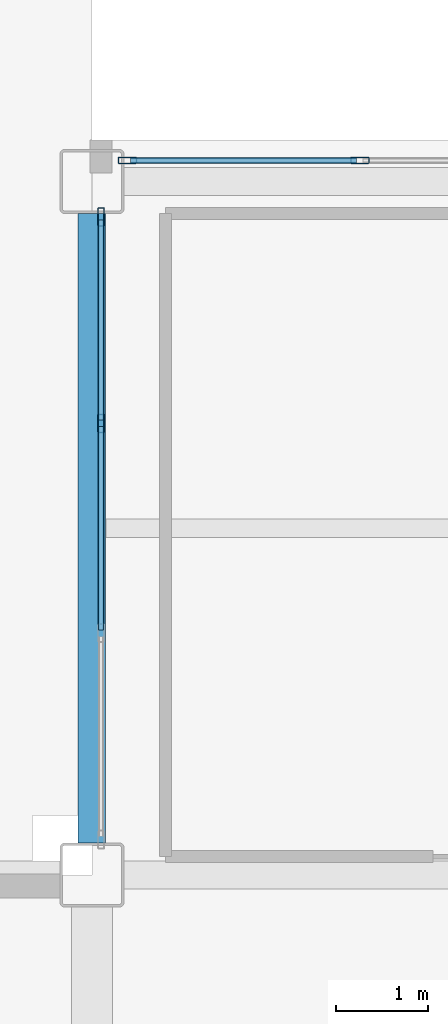
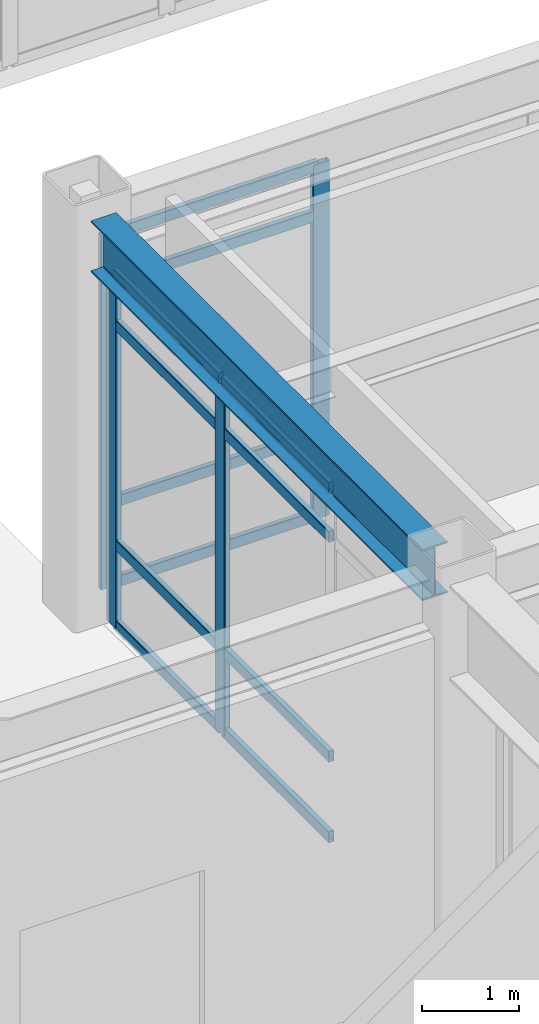
# One storey, part 22 of 165: 16 members, 1 beam, 2 elements without a shape of their own.
"""IFC4 building model written with IfcOpenShell, lengths in metres."""

from ifc_helpers import new_model, si_unit, direction, frame, origin, origin_2d, place, context, subcontext, project, spatial, hollow_rectangle, i_section, extrude, material, layer, layer_set, material_profile, profile_set, type_object, element, aggregate, save


model = new_model("IFC4")

# Units and contexts
model_context = context("Model", 3, precision=1e-05, world=origin(), true_north=direction((0.0, 1.0)))
body_context = subcontext(model_context, "Body", "Model", "MODEL_VIEW")
ifc_project = project(units=[si_unit("LENGTHUNIT", "METRE"), si_unit("AREAUNIT", "SQUARE_METRE"), si_unit("VOLUMEUNIT", "CUBIC_METRE"), si_unit("PLANEANGLEUNIT", "RADIAN"), si_unit("MASSUNIT", "GRAM", prefix="KILO")], contexts=[model_context])

# Site, building, storey
site_placement = place(None, origin())
site = spatial("IfcSite", under=ifc_project, at=site_placement, CompositionType="ELEMENT")
building_placement = place(site_placement, origin())
building = spatial("IfcBuilding", under=site, at=building_placement, Name="Kazehara Bluff Congress Hotel", CompositionType="ELEMENT")
storey_placement = place(building_placement, origin())
storey = spatial("IfcBuildingStorey", under=building, at=storey_placement, Name="L00", CompositionType="ELEMENT", Elevation=0.0)

# Curtain wall, members
ifc_material_1 = material(Name="Anodised aluminium", Category="aluminium")
ifc_layer_1 = layer(ifc_material_1, 0.159912109375)
ifc_layer_set_1 = layer_set([ifc_layer_1], Name="Anodised aluminium")
curtain_wall_type_1 = type_object("IfcCurtainWallType", Name="TP-CW-26", PredefinedType="NOTDEFINED", material=ifc_layer_set_1)
curtain_wall_1_placement = place(storey_placement, origin())
curtain_wall_1 = element("IfcCurtainWall", 1, at=curtain_wall_1_placement, inside=storey, type_object=curtain_wall_type_1, Name="L00 curtain wall CW-26 CW-ENC-V2-L00-2940-3978", PredefinedType="NOTDEFINED")
ifc_material_2 = material(Name="Anodised aluminium", Category="aluminium")
ifc_material_profile_1 = material_profile(ifc_material_2, hollow_rectangle(XDim=0.070068359375, YDim=0.199951171875, WallThickness=0.0048828125, InnerFilletRadius=0.0048828125, OuterFilletRadius=0.010009765625, at=origin_2d()))
ifc_profile_set_1 = profile_set([ifc_material_profile_1], Name="Anodised aluminium")
member_type_1 = type_object("IfcMemberType", Name="TP-CWM-03", PredefinedType="MULLION", material=ifc_profile_set_1)
member_1_placement = place(storey_placement, frame((25.5849609375, 39.780029296875, 0.0), z_axis=(0.0, 0.0, 1.0), x_axis=(0.0, 1.0, 0.0)))
member_1 = element("IfcMember", 2, at=member_1_placement, type_object=member_type_1, Name="CW-26 mullion 1", PredefinedType="MULLION", context=body_context, shape_type="SweptSolid", body=[
    extrude(hollow_rectangle(XDim=0.070068359375, YDim=0.199951171875, WallThickness=0.0048828125, InnerFilletRadius=0.0048828125, OuterFilletRadius=0.010009765625, at=origin_2d()), origin(), (0.0, 0.0, 1.0), 4.47509765625),
])
member_2_placement = place(storey_placement, frame((28.11669921875, 39.780029296875, 0.0), z_axis=(0.0, 0.0, 1.0), x_axis=(0.0, 1.0, 0.0)))
member_2 = element("IfcMember", 3, at=member_2_placement, type_object=member_type_1, Name="CW-26 mullion 2", PredefinedType="MULLION", context=body_context, shape_type="SweptSolid", body=[
    extrude(hollow_rectangle(XDim=0.070068359375, YDim=0.199951171875, WallThickness=0.0048828125, InnerFilletRadius=0.0048828125, OuterFilletRadius=0.010009765625, at=origin_2d()), origin(), (0.0, 0.0, 1.0), 4.47509765625),
])

ifc_material_3 = material(Name="Anodised aluminium", Category="aluminium")
ifc_layer_2 = layer(ifc_material_3, 0.159912109375)
ifc_layer_set_2 = layer_set([ifc_layer_2], Name="Anodised aluminium")
curtain_wall_type_2 = type_object("IfcCurtainWallType", Name="TP-CW-31", PredefinedType="NOTDEFINED", material=ifc_layer_set_2)
curtain_wall_2_placement = place(storey_placement, origin())
curtain_wall_2 = element("IfcCurtainWall", 4, at=curtain_wall_2_placement, inside=storey, type_object=curtain_wall_type_2, Name="L00 curtain wall CW-31 CW-ENC-V2-L00-2530-3578", PredefinedType="NOTDEFINED")
member_3_placement = place(storey_placement, frame((25.300048828125, 36.916748046875, 0.0), z_axis=(0.0, 0.0, 1.0), x_axis=(-1.0, 0.0, 0.0)))
member_3 = element("IfcMember", 5, at=member_3_placement, type_object=member_type_1, Name="CW-31 mullion 3", PredefinedType="MULLION", context=body_context, shape_type="SweptSolid", body=[
    extrude(hollow_rectangle(XDim=0.070068359375, YDim=0.199951171875, WallThickness=0.0048828125, InnerFilletRadius=0.0048828125, OuterFilletRadius=0.010009765625, at=origin_2d()), origin(), (0.0, 0.0, 1.0), 4.47509765625),
])
member_4_placement = place(storey_placement, frame((25.300048828125, 39.1650390625, 0.0), z_axis=(0.0, 0.0, 1.0), x_axis=(-1.0, 0.0, 0.0)))
member_4 = element("IfcMember", 6, at=member_4_placement, type_object=member_type_1, Name="CW-31 mullion 4", PredefinedType="MULLION", context=body_context, shape_type="SweptSolid", body=[
    extrude(hollow_rectangle(XDim=0.070068359375, YDim=0.199951171875, WallThickness=0.0048828125, InnerFilletRadius=0.0048828125, OuterFilletRadius=0.010009765625, at=origin_2d()), origin(), (0.0, 0.0, 1.0), 4.47509765625),
])

# Member
ifc_material_4 = material(Name="Anodised aluminium", Category="aluminium")
ifc_material_profile_2 = material_profile(ifc_material_4, hollow_rectangle(XDim=0.06494140625, YDim=0.139892578125, WallThickness=0.00390625, InnerFilletRadius=0.00390625, OuterFilletRadius=0.008056640625, at=origin_2d()))
ifc_profile_set_2 = profile_set([ifc_material_profile_2], Name="Anodised aluminium")
member_type_2 = type_object("IfcMemberType", Name="TP-CWT-02", PredefinedType="USERDEFINED", material=ifc_profile_set_2)
member_5_placement = place(storey_placement, frame((25.6201171875, 39.780029296875, 0.032470703125), z_axis=(1.0, 0.0, 0.0), x_axis=(0.0, 1.0, 0.0)))
member_5 = element("IfcMember", 7, at=member_5_placement, type_object=member_type_2, Name="CW-26 transom 1.1", ObjectType="TRANSOM", PredefinedType="USERDEFINED", context=body_context, shape_type="SweptSolid", body=[
    extrude(hollow_rectangle(XDim=0.06494140625, YDim=0.139892578125, WallThickness=0.00390625, InnerFilletRadius=0.00390625, OuterFilletRadius=0.008056640625, at=origin_2d()), origin(), (0.0, 0.0, 1.0), 2.461669921875),
])

member_6_placement = place(storey_placement, frame((25.6201171875, 39.780029296875, 1.050048828125), z_axis=(1.0, 0.0, 0.0), x_axis=(0.0, 1.0, 0.0)))
member_6 = element("IfcMember", 8, at=member_6_placement, type_object=member_type_2, Name="CW-26 transom 1.2", ObjectType="TRANSOM", PredefinedType="USERDEFINED", context=body_context, shape_type="SweptSolid", body=[
    extrude(hollow_rectangle(XDim=0.06494140625, YDim=0.139892578125, WallThickness=0.00390625, InnerFilletRadius=0.00390625, OuterFilletRadius=0.008056640625, at=origin_2d()), origin(), (0.0, 0.0, 1.0), 2.461669921875),
])

member_7_placement = place(storey_placement, frame((25.6201171875, 39.780029296875, 3.824951171875), z_axis=(1.0, 0.0, 0.0), x_axis=(0.0, 1.0, 0.0)))
member_7 = element("IfcMember", 9, at=member_7_placement, type_object=member_type_2, Name="CW-26 transom 1.3", ObjectType="TRANSOM", PredefinedType="USERDEFINED", context=body_context, shape_type="SweptSolid", body=[
    extrude(hollow_rectangle(XDim=0.06494140625, YDim=0.139892578125, WallThickness=0.00390625, InnerFilletRadius=0.00390625, OuterFilletRadius=0.008056640625, at=origin_2d()), origin(), (0.0, 0.0, 1.0), 2.461669921875),
])

member_8_placement = place(storey_placement, frame((25.6201171875, 39.780029296875, 4.4423828125), z_axis=(1.0, 0.0, 0.0), x_axis=(0.0, 1.0, 0.0)))
member_8 = element("IfcMember", 10, at=member_8_placement, type_object=member_type_2, Name="CW-26 transom 1.4", ObjectType="TRANSOM", PredefinedType="USERDEFINED", context=body_context, shape_type="SweptSolid", body=[
    extrude(hollow_rectangle(XDim=0.06494140625, YDim=0.139892578125, WallThickness=0.00390625, InnerFilletRadius=0.00390625, OuterFilletRadius=0.008056640625, at=origin_2d()), origin(), (0.0, 0.0, 1.0), 2.461669921875),
])

aggregate(curtain_wall_1, [member_1, member_2, member_5, member_6, member_7, member_8])

member_9_placement = place(storey_placement, frame((25.300048828125, 34.668212890625, 0.032470703125), z_axis=(0.0, 1.0, 0.0), x_axis=(-1.0, 0.0, 0.0)))
member_9 = element("IfcMember", 11, at=member_9_placement, type_object=member_type_2, Name="CW-31 transom 2.1", ObjectType="TRANSOM", PredefinedType="USERDEFINED", context=body_context, shape_type="SweptSolid", body=[
    extrude(hollow_rectangle(XDim=0.06494140625, YDim=0.139892578125, WallThickness=0.00390625, InnerFilletRadius=0.00390625, OuterFilletRadius=0.008056640625, at=origin_2d()), origin(), (0.0, 0.0, 1.0), 2.21337890625),
])

member_10_placement = place(storey_placement, frame((25.300048828125, 34.668212890625, 1.050048828125), z_axis=(0.0, 1.0, 0.0), x_axis=(-1.0, 0.0, 0.0)))
member_10 = element("IfcMember", 12, at=member_10_placement, type_object=member_type_2, Name="CW-31 transom 2.2", ObjectType="TRANSOM", PredefinedType="USERDEFINED", context=body_context, shape_type="SweptSolid", body=[
    extrude(hollow_rectangle(XDim=0.06494140625, YDim=0.139892578125, WallThickness=0.00390625, InnerFilletRadius=0.00390625, OuterFilletRadius=0.008056640625, at=origin_2d()), origin(), (0.0, 0.0, 1.0), 2.21337890625),
])

member_11_placement = place(storey_placement, frame((25.300048828125, 34.668212890625, 3.824951171875), z_axis=(0.0, 1.0, 0.0), x_axis=(-1.0, 0.0, 0.0)))
member_11 = element("IfcMember", 13, at=member_11_placement, type_object=member_type_2, Name="CW-31 transom 2.3", ObjectType="TRANSOM", PredefinedType="USERDEFINED", context=body_context, shape_type="SweptSolid", body=[
    extrude(hollow_rectangle(XDim=0.06494140625, YDim=0.139892578125, WallThickness=0.00390625, InnerFilletRadius=0.00390625, OuterFilletRadius=0.008056640625, at=origin_2d()), origin(), (0.0, 0.0, 1.0), 2.21337890625),
])

member_12_placement = place(storey_placement, frame((25.300048828125, 34.668212890625, 4.4423828125), z_axis=(0.0, 1.0, 0.0), x_axis=(-1.0, 0.0, 0.0)))
member_12 = element("IfcMember", 14, at=member_12_placement, type_object=member_type_2, Name="CW-31 transom 2.4", ObjectType="TRANSOM", PredefinedType="USERDEFINED", context=body_context, shape_type="SweptSolid", body=[
    extrude(hollow_rectangle(XDim=0.06494140625, YDim=0.139892578125, WallThickness=0.00390625, InnerFilletRadius=0.00390625, OuterFilletRadius=0.008056640625, at=origin_2d()), origin(), (0.0, 0.0, 1.0), 2.21337890625),
])

member_13_placement = place(storey_placement, frame((25.300048828125, 36.95166015625, 0.032470703125), z_axis=(0.0, 1.0, 0.0), x_axis=(-1.0, 0.0, 0.0)))
member_13 = element("IfcMember", 15, at=member_13_placement, type_object=member_type_2, Name="CW-31 transom 3.1", ObjectType="TRANSOM", PredefinedType="USERDEFINED", context=body_context, shape_type="SweptSolid", body=[
    extrude(hollow_rectangle(XDim=0.06494140625, YDim=0.139892578125, WallThickness=0.00390625, InnerFilletRadius=0.00390625, OuterFilletRadius=0.008056640625, at=origin_2d()), origin(), (0.0, 0.0, 1.0), 2.17822265625),
])

member_14_placement = place(storey_placement, frame((25.300048828125, 36.95166015625, 1.050048828125), z_axis=(0.0, 1.0, 0.0), x_axis=(-1.0, 0.0, 0.0)))
member_14 = element("IfcMember", 16, at=member_14_placement, type_object=member_type_2, Name="CW-31 transom 3.2", ObjectType="TRANSOM", PredefinedType="USERDEFINED", context=body_context, shape_type="SweptSolid", body=[
    extrude(hollow_rectangle(XDim=0.06494140625, YDim=0.139892578125, WallThickness=0.00390625, InnerFilletRadius=0.00390625, OuterFilletRadius=0.008056640625, at=origin_2d()), origin(), (0.0, 0.0, 1.0), 2.17822265625),
])

member_15_placement = place(storey_placement, frame((25.300048828125, 36.95166015625, 3.824951171875), z_axis=(0.0, 1.0, 0.0), x_axis=(-1.0, 0.0, 0.0)))
member_15 = element("IfcMember", 17, at=member_15_placement, type_object=member_type_2, Name="CW-31 transom 3.3", ObjectType="TRANSOM", PredefinedType="USERDEFINED", context=body_context, shape_type="SweptSolid", body=[
    extrude(hollow_rectangle(XDim=0.06494140625, YDim=0.139892578125, WallThickness=0.00390625, InnerFilletRadius=0.00390625, OuterFilletRadius=0.008056640625, at=origin_2d()), origin(), (0.0, 0.0, 1.0), 2.17822265625),
])

member_16_placement = place(storey_placement, frame((25.300048828125, 36.95166015625, 4.4423828125), z_axis=(0.0, 1.0, 0.0), x_axis=(-1.0, 0.0, 0.0)))
member_16 = element("IfcMember", 18, at=member_16_placement, type_object=member_type_2, Name="CW-31 transom 3.4", ObjectType="TRANSOM", PredefinedType="USERDEFINED", context=body_context, shape_type="SweptSolid", body=[
    extrude(hollow_rectangle(XDim=0.06494140625, YDim=0.139892578125, WallThickness=0.00390625, InnerFilletRadius=0.00390625, OuterFilletRadius=0.008056640625, at=origin_2d()), origin(), (0.0, 0.0, 1.0), 2.17822265625),
])

aggregate(curtain_wall_2, [member_3, member_4, member_9, member_10, member_11, member_12, member_13, member_14, member_15, member_16])

# Beam
ifc_material_5 = material(Name="Steel SN490B", Category="steel")
ifc_material_profile_3 = material_profile(ifc_material_5, i_section(OverallWidth=0.300048828125, OverallDepth=0.64990234375, WebThickness=0.011962890625, FlangeThickness=0.02001953125, FilletRadius=0.012939453125, at=origin_2d()))
ifc_profile_set_3 = profile_set([ifc_material_profile_3], Name="Steel SN490B")
beam_type = type_object("IfcBeamType", Name="TP-G-03", PredefinedType="BEAM", material=ifc_profile_set_3)
beam_placement = place(storey_placement, frame((25.199951171875, 32.35009765625, 4.824951171875), z_axis=(0.0, 1.0, 0.0), x_axis=(-1.0, 0.0, 0.0)))
element("IfcBeam", 19, at=beam_placement, inside=storey, type_object=beam_type, Name="L00 girder G-03 54", PredefinedType="BEAM", context=body_context, shape_type="SweptSolid", body=[
    extrude(i_section(OverallWidth=0.300048828125, OverallDepth=0.64990234375, WebThickness=0.011962890625, FlangeThickness=0.02001953125, FilletRadius=0.012939453125, at=origin_2d()), origin(), (0.0, 0.0, 1.0), 6.849853515625),
])

save(model, "model.ifc")
